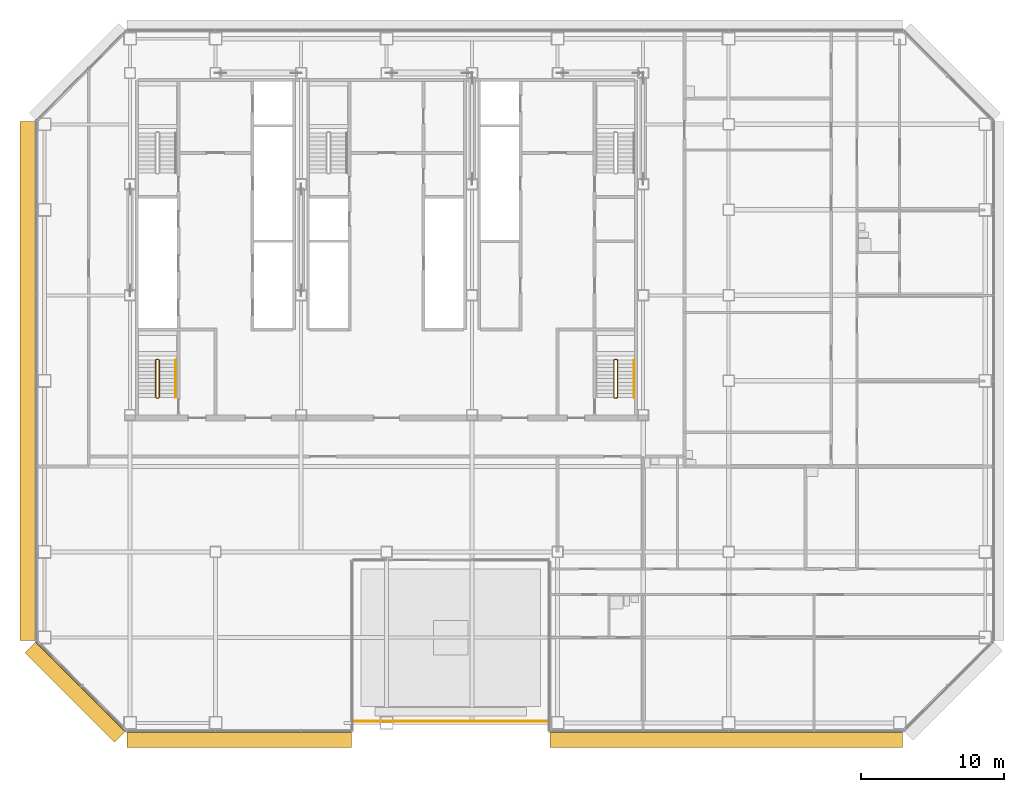
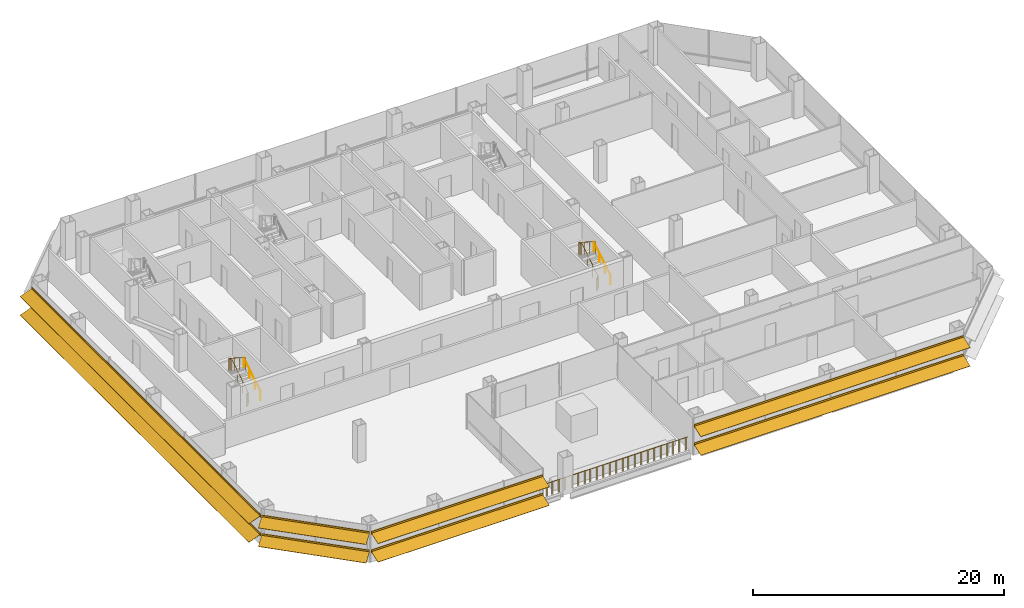
# One storey, part 24 of 27: 5 railings, 4 shading devices.
"""IFC4 building model written with IfcOpenShell, lengths in metres."""

from ifc_helpers import new_model, si_unit, direction, frame, origin, origin_2d, place, context, subcontext, project, spatial, polyline, circle, outline, composite_profile, extrude, material, type_object, element, save


model = new_model("IFC4")

# Units and contexts
model_context = context("Model", 3, precision=1e-05, world=origin(), true_north=direction((0.0, 1.0)))
body_context = subcontext(model_context, "Body", "Model", "MODEL_VIEW")
ifc_project = project(units=[si_unit("LENGTHUNIT", "METRE"), si_unit("AREAUNIT", "SQUARE_METRE"), si_unit("VOLUMEUNIT", "CUBIC_METRE"), si_unit("PLANEANGLEUNIT", "RADIAN"), si_unit("MASSUNIT", "GRAM", prefix="KILO")], contexts=[model_context])

# Site, building, storey
site_placement = place(None, origin())
site = spatial("IfcSite", under=ifc_project, at=site_placement, CompositionType="ELEMENT")
building_placement = place(site_placement, origin())
building = spatial("IfcBuilding", under=site, at=building_placement, Name="Sorahane Residences", CompositionType="ELEMENT")
storey_placement = place(building_placement, frame((0.0, 0.0, 82.199951171875)))
storey = spatial("IfcBuildingStorey", under=building, at=storey_placement, Name="L17", CompositionType="ELEMENT", Elevation=82.199951171875)

# Shading devices
ifc_material_1 = material(Name="Terracotta anodised aluminium", Category="masonry")
shading_device_type_1 = type_object("IfcShadingDeviceType", Name="Louvre sunshade blade S terracotta aluminium 1100", PredefinedType="JALOUSIE", material=ifc_material_1)
shading_device_1_placement = place(storey_placement, frame((5.801513671875, -0.60009765625, 0.900146484375), z_axis=(1.0, 0.0, 0.0), x_axis=(0.0, 1.0, 0.0)))
element("IfcShadingDevice", 1, at=shading_device_1_placement, inside=storey, type_object=shading_device_type_1, Name="Louvre sunshade blade bank S L17 S1", PredefinedType="JALOUSIE", context=body_context, shape_type="SweptSolid", body=[
    extrude(composite_profile([outline(polyline([(-1.1201171875, -0.385498046875), (-1.1201171875, -0.415283203125), (-0.080078125, -0.036865234375), (-0.080078125, -0.14990234375), (-0.02001953125, -0.14990234375), (-0.02001953125, -0.014892578125), (-0.02001953125, 0.014892578125), (-0.02001953125, 0.14990234375), (-0.080078125, 0.14990234375), (-0.080078125, -0.0068359375), (-1.1201171875, -0.385498046875)])), outline(polyline([(-1.1201171875, 1.41455078125), (-1.1201171875, 1.384521484375), (-0.080078125, 1.76318359375), (-0.080078125, 1.64990234375), (-0.02001953125, 1.64990234375), (-0.02001953125, 1.784912109375), (-0.02001953125, 1.81494140625), (-0.02001953125, 1.949951171875), (-0.080078125, 1.949951171875), (-0.080078125, 1.793212890625), (-1.1201171875, 1.41455078125)]))]), origin(), (0.0, 0.0, 1.0), 15.74853515625),
])
shading_device_2_placement = place(storey_placement, frame((35.449951171875, -0.60009765625, 0.900146484375), z_axis=(1.0, 0.0, 0.0), x_axis=(0.0, 1.0, 0.0)))
element("IfcShadingDevice", 2, at=shading_device_2_placement, inside=storey, type_object=shading_device_type_1, Name="Louvre sunshade blade bank S L17 S3", PredefinedType="JALOUSIE", context=body_context, shape_type="SweptSolid", body=[
    extrude(composite_profile([outline(polyline([(-1.1201171875, -0.385498046875), (-1.1201171875, -0.415283203125), (-0.080078125, -0.036865234375), (-0.080078125, -0.14990234375), (-0.02001953125, -0.14990234375), (-0.02001953125, -0.014892578125), (-0.02001953125, 0.014892578125), (-0.02001953125, 0.14990234375), (-0.080078125, 0.14990234375), (-0.080078125, -0.0068359375), (-1.1201171875, -0.385498046875)])), outline(polyline([(-1.1201171875, 1.41455078125), (-1.1201171875, 1.384521484375), (-0.080078125, 1.76318359375), (-0.080078125, 1.64990234375), (-0.02001953125, 1.64990234375), (-0.02001953125, 1.784912109375), (-0.02001953125, 1.81494140625), (-0.02001953125, 1.949951171875), (-0.080078125, 1.949951171875), (-0.080078125, 1.793212890625), (-1.1201171875, 1.41455078125)]))]), origin(), (0.0, 0.0, 1.0), 24.74853515625),
])
ifc_material_2 = material(Name="Terracotta anodised aluminium", Category="masonry")
shading_device_type_2 = type_object("IfcShadingDeviceType", Name="Louvre sunshade blade SW terracotta aluminium 1100", PredefinedType="JALOUSIE", material=ifc_material_2)
shading_device_3_placement = place(storey_placement, frame((-0.564697265625, 5.716064453125, 0.900146484375), z_axis=(0.707106781187, -0.707106781187, 0.0), x_axis=(0.707106781187, 0.707106781187, 0.0)))
element("IfcShadingDevice", 3, at=shading_device_3_placement, inside=storey, type_object=shading_device_type_2, Name="Louvre sunshade blade bank SW L17 SW1", PredefinedType="JALOUSIE", context=body_context, shape_type="SweptSolid", body=[
    extrude(composite_profile([outline(polyline([(-1.1201171875, -0.385498046875), (-1.1201171875, -0.415283203125), (-0.080078125, -0.036865234375), (-0.080078125, -0.14990234375), (-0.02001953125, -0.14990234375), (-0.02001953125, -0.014892578125), (-0.02001953125, 0.014892578125), (-0.02001953125, 0.14990234375), (-0.080078125, 0.14990234375), (-0.080078125, -0.0068359375), (-1.1201171875, -0.385498046875)])), outline(polyline([(-1.1201171875, 1.41455078125), (-1.1201171875, 1.384521484375), (-0.080078125, 1.76318359375), (-0.080078125, 1.64990234375), (-0.02001953125, 1.64990234375), (-0.02001953125, 1.784912109375), (-0.02001953125, 1.81494140625), (-0.02001953125, 1.949951171875), (-0.080078125, 1.949951171875), (-0.080078125, 1.793212890625), (-1.1201171875, 1.41455078125)]))]), origin(), (0.0, 0.0, 1.0), 8.88232421875),
])
ifc_material_3 = material(Name="Terracotta anodised aluminium", Category="masonry")
shading_device_type_3 = type_object("IfcShadingDeviceType", Name="Louvre sunshade blade W terracotta aluminium 1100", PredefinedType="JALOUSIE", material=ifc_material_3)
shading_device_4_placement = place(storey_placement, frame((-0.60009765625, 42.198486328125, 0.900146484375), z_axis=(0.0, -1.0, 0.0), x_axis=(1.0, 0.0, 0.0)))
element("IfcShadingDevice", 4, at=shading_device_4_placement, inside=storey, type_object=shading_device_type_3, Name="Louvre sunshade blade bank W L17 W2", PredefinedType="JALOUSIE", context=body_context, shape_type="SweptSolid", body=[
    extrude(composite_profile([outline(polyline([(-1.1201171875, -0.385498046875), (-1.1201171875, -0.415283203125), (-0.080078125, -0.036865234375), (-0.080078125, -0.14990234375), (-0.02001953125, -0.14990234375), (-0.02001953125, -0.014892578125), (-0.02001953125, 0.014892578125), (-0.02001953125, 0.14990234375), (-0.080078125, 0.14990234375), (-0.080078125, -0.0068359375), (-1.1201171875, -0.385498046875)])), outline(polyline([(-1.1201171875, 1.41455078125), (-1.1201171875, 1.384521484375), (-0.080078125, 1.76318359375), (-0.080078125, 1.64990234375), (-0.02001953125, 1.64990234375), (-0.02001953125, 1.784912109375), (-0.02001953125, 1.81494140625), (-0.02001953125, 1.949951171875), (-0.080078125, 1.949951171875), (-0.080078125, 1.793212890625), (-1.1201171875, 1.41455078125)]))]), origin(), (0.0, 0.0, 1.0), 36.39697265625),
])

# Railings
ifc_material_4 = material(Name="Steel Q355B", Category="steel")
railing_type_1 = type_object("IfcRailingType", Name="Stair guard 1200 Steel Q355B", PredefinedType="GUARDRAIL", material=ifc_material_4)
railing_1_placement = place(storey_placement, frame((7.85009765625, 22.800048828125, 0.0)))
element("IfcRailing", 5, at=railing_1_placement, inside=storey, type_object=railing_type_1, Name="L17 S4 stair guard 1", PredefinedType="GUARDRAIL", context=body_context, shape_type="SweptSolid", body=[
    extrude(circle(Radius=0.02392578125, at=origin_2d()), frame((0.0, 0.0, 1.17578125), z_axis=(1.0, 0.0, 0.0), x_axis=(0.0, 1.0, 0.0)), (0.0, 0.0, 1.0), 0.14990234375),
    extrude(circle(Radius=0.02392578125, at=origin_2d()), frame((0.14990234375, 0.0, 1.17578125), z_axis=(0.280808744504, 0.280808744504, 0.917765164963), x_axis=(-0.707106781187, 0.707106781187, 0.0)), (0.0, 0.0, 1.0), 0.17822265625),
    extrude(circle(Radius=0.02392578125, at=origin_2d()), frame((0.199951171875, 0.050048828125, 1.33935546875), z_axis=(0.0, 0.846301844409, 0.532703658848), x_axis=(-1.0, 0.0, 0.0)), (0.0, 0.0, 1.0), 3.072021484375),
    extrude(circle(Radius=0.02392578125, at=origin_2d()), frame((0.199951171875, 2.64990234375, 2.97607421875), z_axis=(-0.707106781187, 0.707106781187, 0.0), x_axis=(-0.707106781187, -0.707106781187, 0.0)), (0.0, 0.0, 1.0), 0.07080078125),
    extrude(circle(Radius=0.02392578125, at=origin_2d()), frame((0.14990234375, 2.699951171875, 2.97607421875), z_axis=(-1.0, 0.0, 0.0), x_axis=(0.0, -1.0, 0.0)), (0.0, 0.0, 1.0), 0.14990234375),
    extrude(circle(Radius=0.02392578125, at=origin_2d()), frame((0.0, 2.699951171875, 2.97607421875), z_axis=(-0.280808744504, -0.280808744504, 0.917765164963), x_axis=(0.707106781187, -0.707106781187, 0.0)), (0.0, 0.0, 1.0), 0.17822265625),
    extrude(circle(Radius=0.02392578125, at=origin_2d()), frame((-0.050048828125, 2.64990234375, 3.1396484375), z_axis=(0.0, -0.846301844409, 0.532703658848), x_axis=(1.0, 0.0, 0.0)), (0.0, 0.0, 1.0), 3.072021484375),
    extrude(circle(Radius=0.02099609375, at=origin_2d()), origin(), (0.0, 0.0, 1.0), 1.15185546875),
    extrude(circle(Radius=0.02099609375, at=origin_2d()), frame((0.14990234375, 0.0, 0.0)), (0.0, 0.0, 1.0), 1.15185546875),
    extrude(circle(Radius=0.02099609375, at=origin_2d()), frame((0.199951171875, 0.050048828125, 0.16357421875)), (0.0, 0.0, 1.0), 1.15185546875),
    extrude(circle(Radius=0.02099609375, at=origin_2d()), frame((0.199951171875, 0.916748046875, 0.708984375)), (0.0, 0.0, 1.0), 1.15185546875),
    extrude(circle(Radius=0.02099609375, at=origin_2d()), frame((0.199951171875, 1.783203125, 1.254638671875)), (0.0, 0.0, 1.0), 1.15185546875),
    extrude(circle(Radius=0.02099609375, at=origin_2d()), frame((0.199951171875, 2.64990234375, 1.800048828125)), (0.0, 0.0, 1.0), 1.15185546875),
    extrude(circle(Radius=0.02099609375, at=origin_2d()), frame((0.14990234375, 2.699951171875, 1.800048828125)), (0.0, 0.0, 1.0), 1.15185546875),
    extrude(circle(Radius=0.02099609375, at=origin_2d()), frame((0.0, 2.699951171875, 1.800048828125)), (0.0, 0.0, 1.0), 1.15185546875),
    extrude(circle(Radius=0.02099609375, at=origin_2d()), frame((-0.050048828125, 2.64990234375, 1.963623046875)), (0.0, 0.0, 1.0), 1.15185546875),
    extrude(circle(Radius=0.02099609375, at=origin_2d()), frame((-0.050048828125, 1.783203125, 2.509033203125)), (0.0, 0.0, 1.0), 1.15185546875),
    extrude(circle(Radius=0.02099609375, at=origin_2d()), frame((-0.050048828125, 0.916748046875, 3.0546875)), (0.0, 0.0, 1.0), 1.15185546875),
    extrude(circle(Radius=0.02099609375, at=origin_2d()), frame((-0.050048828125, 0.050048828125, 3.60009765625)), (0.0, 0.0, 1.0), 1.15185546875),
])
railing_2_placement = place(storey_placement, frame((40.0, 22.800048828125, 0.0)))
element("IfcRailing", 6, at=railing_2_placement, inside=storey, type_object=railing_type_1, Name="L17 S5 stair guard 1", PredefinedType="GUARDRAIL", context=body_context, shape_type="SweptSolid", body=[
    extrude(circle(Radius=0.02392578125, at=origin_2d()), frame((0.0, 0.0, 1.17578125), z_axis=(1.0, 0.0, 0.0), x_axis=(0.0, 1.0, 0.0)), (0.0, 0.0, 1.0), 0.14990234375),
    extrude(circle(Radius=0.02392578125, at=origin_2d()), frame((0.14990234375, 0.0, 1.17578125), z_axis=(0.280808744504, 0.280808744504, 0.917765164963), x_axis=(-0.707106781187, 0.707106781187, 0.0)), (0.0, 0.0, 1.0), 0.17822265625),
    extrude(circle(Radius=0.02392578125, at=origin_2d()), frame((0.199951171875, 0.050048828125, 1.33935546875), z_axis=(0.0, 0.846301844409, 0.532703658848), x_axis=(-1.0, 0.0, 0.0)), (0.0, 0.0, 1.0), 3.072021484375),
    extrude(circle(Radius=0.02392578125, at=origin_2d()), frame((0.199951171875, 2.64990234375, 2.97607421875), z_axis=(-0.707106781187, 0.707106781187, 0.0), x_axis=(-0.707106781187, -0.707106781187, 0.0)), (0.0, 0.0, 1.0), 0.07080078125),
    extrude(circle(Radius=0.02392578125, at=origin_2d()), frame((0.14990234375, 2.699951171875, 2.97607421875), z_axis=(-1.0, 0.0, 0.0), x_axis=(0.0, -1.0, 0.0)), (0.0, 0.0, 1.0), 0.14990234375),
    extrude(circle(Radius=0.02392578125, at=origin_2d()), frame((0.0, 2.699951171875, 2.97607421875), z_axis=(-0.280808744504, -0.280808744504, 0.917765164963), x_axis=(0.707106781187, -0.707106781187, 0.0)), (0.0, 0.0, 1.0), 0.17822265625),
    extrude(circle(Radius=0.02392578125, at=origin_2d()), frame((-0.050048828125, 2.64990234375, 3.1396484375), z_axis=(0.0, -0.846301844409, 0.532703658848), x_axis=(1.0, 0.0, 0.0)), (0.0, 0.0, 1.0), 3.072021484375),
    extrude(circle(Radius=0.02099609375, at=origin_2d()), origin(), (0.0, 0.0, 1.0), 1.15185546875),
    extrude(circle(Radius=0.02099609375, at=origin_2d()), frame((0.14990234375, 0.0, 0.0)), (0.0, 0.0, 1.0), 1.15185546875),
    extrude(circle(Radius=0.02099609375, at=origin_2d()), frame((0.199951171875, 0.050048828125, 0.16357421875)), (0.0, 0.0, 1.0), 1.15185546875),
    extrude(circle(Radius=0.02099609375, at=origin_2d()), frame((0.199951171875, 0.916748046875, 0.708984375)), (0.0, 0.0, 1.0), 1.15185546875),
    extrude(circle(Radius=0.02099609375, at=origin_2d()), frame((0.199951171875, 1.783203125, 1.254638671875)), (0.0, 0.0, 1.0), 1.15185546875),
    extrude(circle(Radius=0.02099609375, at=origin_2d()), frame((0.199951171875, 2.64990234375, 1.800048828125)), (0.0, 0.0, 1.0), 1.15185546875),
    extrude(circle(Radius=0.02099609375, at=origin_2d()), frame((0.14990234375, 2.699951171875, 1.800048828125)), (0.0, 0.0, 1.0), 1.15185546875),
    extrude(circle(Radius=0.02099609375, at=origin_2d()), frame((0.0, 2.699951171875, 1.800048828125)), (0.0, 0.0, 1.0), 1.15185546875),
    extrude(circle(Radius=0.02099609375, at=origin_2d()), frame((-0.050048828125, 2.64990234375, 1.963623046875)), (0.0, 0.0, 1.0), 1.15185546875),
    extrude(circle(Radius=0.02099609375, at=origin_2d()), frame((-0.050048828125, 1.783203125, 2.509033203125)), (0.0, 0.0, 1.0), 1.15185546875),
    extrude(circle(Radius=0.02099609375, at=origin_2d()), frame((-0.050048828125, 0.916748046875, 3.0546875)), (0.0, 0.0, 1.0), 1.15185546875),
    extrude(circle(Radius=0.02099609375, at=origin_2d()), frame((-0.050048828125, 0.050048828125, 3.60009765625)), (0.0, 0.0, 1.0), 1.15185546875),
])
ifc_material_5 = material(Name="Steel Q355B", Category="steel")
railing_type_2 = type_object("IfcRailingType", Name="Stair handrail 900 Steel Q355B", PredefinedType="HANDRAIL", material=ifc_material_5)
for number, where, name in (
    (7, (9.199951171875, 22.85009765625, 0.16357421875), "L17 S4 stair handrail 1"),
    (8, (41.35009765625, 22.85009765625, 0.16357421875), "L17 S5 stair handrail 1"),
):
    element("IfcRailing", number, at=place(storey_placement, frame(where)), inside=storey, type_object=railing_type_2, Name=name, PredefinedType="HANDRAIL", context=body_context, shape_type="SweptSolid", body=[
        extrude(circle(Radius=0.02392578125, at=origin_2d()), frame((0.0, 0.0, 0.8759765625), z_axis=(0.0, 0.846301844409, 0.532703658848), x_axis=(-1.0, 0.0, 0.0)), (0.0, 0.0, 1.0), 3.072021484375),
        extrude(circle(Radius=0.02099609375, at=origin_2d()), origin(), (0.0, 0.0, 1.0), 0.851806640625),
        extrude(circle(Radius=0.02099609375, at=origin_2d()), frame((0.0, 0.86669921875, 0.54541015625)), (0.0, 0.0, 1.0), 0.851806640625),
        extrude(circle(Radius=0.02099609375, at=origin_2d()), frame((0.0, 1.733154296875, 1.091064453125)), (0.0, 0.0, 1.0), 0.851806640625),
        extrude(circle(Radius=0.02099609375, at=origin_2d()), frame((0.0, 2.599853515625, 1.636474609375)), (0.0, 0.0, 1.0), 0.851806640625),
    ])
ifc_material_6 = material(Name="Clear low-iron glass with a black steel top rail", Category="steel")
railing_type_3 = type_object("IfcRailingType", Name="Terrace guard black steel bars 1260", PredefinedType="GUARDRAIL", material=ifc_material_6)
railing_3_placement = place(storey_placement, frame((35.280029296875, 0.1201171875, 0.0)))
element("IfcRailing", 9, at=railing_3_placement, inside=storey, type_object=railing_type_3, Name="Terrace guard L17.1.1", PredefinedType="GUARDRAIL", context=body_context, shape_type="SweptSolid", body=[
    extrude(circle(Radius=0.030029296875, at=origin_2d()), frame((0.0, 0.0, 1.22998046875), z_axis=(-1.0, 0.0, 0.0), x_axis=(0.0, -1.0, 0.0)), (0.0, 0.0, 1.0), 13.56005859375),
    extrude(circle(Radius=0.0068359375, at=origin_2d()), origin(), (0.0, 0.0, 1.0), 1.199951171875),
    extrude(circle(Radius=0.0068359375, at=origin_2d()), frame((-0.099609375, 0.0, 0.0)), (0.0, 0.0, 1.0), 1.199951171875),
    extrude(circle(Radius=0.0068359375, at=origin_2d()), frame((-0.199462890625, 0.0, 0.0)), (0.0, 0.0, 1.0), 1.199951171875),
    extrude(circle(Radius=0.0068359375, at=origin_2d()), frame((-0.299072265625, 0.0, 0.0)), (0.0, 0.0, 1.0), 1.199951171875),
    extrude(circle(Radius=0.0068359375, at=origin_2d()), frame((-0.39892578125, 0.0, 0.0)), (0.0, 0.0, 1.0), 1.199951171875),
    extrude(circle(Radius=0.0068359375, at=origin_2d()), frame((-0.49853515625, 0.0, 0.0)), (0.0, 0.0, 1.0), 1.199951171875),
    extrude(circle(Radius=0.0068359375, at=origin_2d()), frame((-0.59814453125, 0.0, 0.0)), (0.0, 0.0, 1.0), 1.199951171875),
    extrude(circle(Radius=0.0068359375, at=origin_2d()), frame((-0.697998046875, 0.0, 0.0)), (0.0, 0.0, 1.0), 1.199951171875),
    extrude(circle(Radius=0.0068359375, at=origin_2d()), frame((-0.797607421875, 0.0, 0.0)), (0.0, 0.0, 1.0), 1.199951171875),
    extrude(circle(Radius=0.0068359375, at=origin_2d()), frame((-0.8974609375, 0.0, 0.0)), (0.0, 0.0, 1.0), 1.199951171875),
    extrude(circle(Radius=0.0068359375, at=origin_2d()), frame((-0.9970703125, 0.0, 0.0)), (0.0, 0.0, 1.0), 1.199951171875),
    extrude(circle(Radius=0.0068359375, at=origin_2d()), frame((-1.0966796875, 0.0, 0.0)), (0.0, 0.0, 1.0), 1.199951171875),
    extrude(circle(Radius=0.0068359375, at=origin_2d()), frame((-1.196533203125, 0.0, 0.0)), (0.0, 0.0, 1.0), 1.199951171875),
    extrude(circle(Radius=0.0068359375, at=origin_2d()), frame((-1.296142578125, 0.0, 0.0)), (0.0, 0.0, 1.0), 1.199951171875),
    extrude(circle(Radius=0.0068359375, at=origin_2d()), frame((-1.39599609375, 0.0, 0.0)), (0.0, 0.0, 1.0), 1.199951171875),
    extrude(circle(Radius=0.0068359375, at=origin_2d()), frame((-1.49560546875, 0.0, 0.0)), (0.0, 0.0, 1.0), 1.199951171875),
    extrude(circle(Radius=0.0068359375, at=origin_2d()), frame((-1.59521484375, 0.0, 0.0)), (0.0, 0.0, 1.0), 1.199951171875),
    extrude(circle(Radius=0.0068359375, at=origin_2d()), frame((-1.695068359375, 0.0, 0.0)), (0.0, 0.0, 1.0), 1.199951171875),
    extrude(circle(Radius=0.0068359375, at=origin_2d()), frame((-1.794677734375, 0.0, 0.0)), (0.0, 0.0, 1.0), 1.199951171875),
    extrude(circle(Radius=0.0068359375, at=origin_2d()), frame((-1.89453125, 0.0, 0.0)), (0.0, 0.0, 1.0), 1.199951171875),
    extrude(circle(Radius=0.0068359375, at=origin_2d()), frame((-1.994140625, 0.0, 0.0)), (0.0, 0.0, 1.0), 1.199951171875),
    extrude(circle(Radius=0.0068359375, at=origin_2d()), frame((-2.09375, 0.0, 0.0)), (0.0, 0.0, 1.0), 1.199951171875),
    extrude(circle(Radius=0.0068359375, at=origin_2d()), frame((-2.193603515625, 0.0, 0.0)), (0.0, 0.0, 1.0), 1.199951171875),
    extrude(circle(Radius=0.0068359375, at=origin_2d()), frame((-2.293212890625, 0.0, 0.0)), (0.0, 0.0, 1.0), 1.199951171875),
    extrude(circle(Radius=0.0068359375, at=origin_2d()), frame((-2.39306640625, 0.0, 0.0)), (0.0, 0.0, 1.0), 1.199951171875),
    extrude(circle(Radius=0.0068359375, at=origin_2d()), frame((-2.49267578125, 0.0, 0.0)), (0.0, 0.0, 1.0), 1.199951171875),
    extrude(circle(Radius=0.0068359375, at=origin_2d()), frame((-2.59228515625, 0.0, 0.0)), (0.0, 0.0, 1.0), 1.199951171875),
    extrude(circle(Radius=0.0068359375, at=origin_2d()), frame((-2.692138671875, 0.0, 0.0)), (0.0, 0.0, 1.0), 1.199951171875),
    extrude(circle(Radius=0.0068359375, at=origin_2d()), frame((-2.791748046875, 0.0, 0.0)), (0.0, 0.0, 1.0), 1.199951171875),
    extrude(circle(Radius=0.0068359375, at=origin_2d()), frame((-2.8916015625, 0.0, 0.0)), (0.0, 0.0, 1.0), 1.199951171875),
    extrude(circle(Radius=0.0068359375, at=origin_2d()), frame((-2.9912109375, 0.0, 0.0)), (0.0, 0.0, 1.0), 1.199951171875),
    extrude(circle(Radius=0.0068359375, at=origin_2d()), frame((-3.0908203125, 0.0, 0.0)), (0.0, 0.0, 1.0), 1.199951171875),
    extrude(circle(Radius=0.0068359375, at=origin_2d()), frame((-3.190673828125, 0.0, 0.0)), (0.0, 0.0, 1.0), 1.199951171875),
    extrude(circle(Radius=0.0068359375, at=origin_2d()), frame((-3.290283203125, 0.0, 0.0)), (0.0, 0.0, 1.0), 1.199951171875),
    extrude(circle(Radius=0.0068359375, at=origin_2d()), frame((-3.39013671875, 0.0, 0.0)), (0.0, 0.0, 1.0), 1.199951171875),
    extrude(circle(Radius=0.0068359375, at=origin_2d()), frame((-3.48974609375, 0.0, 0.0)), (0.0, 0.0, 1.0), 1.199951171875),
    extrude(circle(Radius=0.0068359375, at=origin_2d()), frame((-3.58935546875, 0.0, 0.0)), (0.0, 0.0, 1.0), 1.199951171875),
    extrude(circle(Radius=0.0068359375, at=origin_2d()), frame((-3.689208984375, 0.0, 0.0)), (0.0, 0.0, 1.0), 1.199951171875),
    extrude(circle(Radius=0.0068359375, at=origin_2d()), frame((-3.788818359375, 0.0, 0.0)), (0.0, 0.0, 1.0), 1.199951171875),
    extrude(circle(Radius=0.0068359375, at=origin_2d()), frame((-3.888427734375, 0.0, 0.0)), (0.0, 0.0, 1.0), 1.199951171875),
    extrude(circle(Radius=0.0068359375, at=origin_2d()), frame((-3.98828125, 0.0, 0.0)), (0.0, 0.0, 1.0), 1.199951171875),
    extrude(circle(Radius=0.0068359375, at=origin_2d()), frame((-4.087890625, 0.0, 0.0)), (0.0, 0.0, 1.0), 1.199951171875),
    extrude(circle(Radius=0.0068359375, at=origin_2d()), frame((-4.187744140625, 0.0, 0.0)), (0.0, 0.0, 1.0), 1.199951171875),
    extrude(circle(Radius=0.0068359375, at=origin_2d()), frame((-4.287353515625, 0.0, 0.0)), (0.0, 0.0, 1.0), 1.199951171875),
    extrude(circle(Radius=0.0068359375, at=origin_2d()), frame((-4.386962890625, 0.0, 0.0)), (0.0, 0.0, 1.0), 1.199951171875),
    extrude(circle(Radius=0.0068359375, at=origin_2d()), frame((-4.48681640625, 0.0, 0.0)), (0.0, 0.0, 1.0), 1.199951171875),
    extrude(circle(Radius=0.0068359375, at=origin_2d()), frame((-4.58642578125, 0.0, 0.0)), (0.0, 0.0, 1.0), 1.199951171875),
    extrude(circle(Radius=0.0068359375, at=origin_2d()), frame((-4.686279296875, 0.0, 0.0)), (0.0, 0.0, 1.0), 1.199951171875),
    extrude(circle(Radius=0.0068359375, at=origin_2d()), frame((-4.785888671875, 0.0, 0.0)), (0.0, 0.0, 1.0), 1.199951171875),
    extrude(circle(Radius=0.0068359375, at=origin_2d()), frame((-4.885498046875, 0.0, 0.0)), (0.0, 0.0, 1.0), 1.199951171875),
    extrude(circle(Radius=0.0068359375, at=origin_2d()), frame((-4.9853515625, 0.0, 0.0)), (0.0, 0.0, 1.0), 1.199951171875),
    extrude(circle(Radius=0.0068359375, at=origin_2d()), frame((-5.0849609375, 0.0, 0.0)), (0.0, 0.0, 1.0), 1.199951171875),
    extrude(circle(Radius=0.0068359375, at=origin_2d()), frame((-5.184814453125, 0.0, 0.0)), (0.0, 0.0, 1.0), 1.199951171875),
    extrude(circle(Radius=0.0068359375, at=origin_2d()), frame((-5.284423828125, 0.0, 0.0)), (0.0, 0.0, 1.0), 1.199951171875),
    extrude(circle(Radius=0.0068359375, at=origin_2d()), frame((-5.384033203125, 0.0, 0.0)), (0.0, 0.0, 1.0), 1.199951171875),
    extrude(circle(Radius=0.0068359375, at=origin_2d()), frame((-5.48388671875, 0.0, 0.0)), (0.0, 0.0, 1.0), 1.199951171875),
    extrude(circle(Radius=0.0068359375, at=origin_2d()), frame((-5.58349609375, 0.0, 0.0)), (0.0, 0.0, 1.0), 1.199951171875),
    extrude(circle(Radius=0.0068359375, at=origin_2d()), frame((-5.683349609375, 0.0, 0.0)), (0.0, 0.0, 1.0), 1.199951171875),
    extrude(circle(Radius=0.0068359375, at=origin_2d()), frame((-5.782958984375, 0.0, 0.0)), (0.0, 0.0, 1.0), 1.199951171875),
    extrude(circle(Radius=0.0068359375, at=origin_2d()), frame((-5.882568359375, 0.0, 0.0)), (0.0, 0.0, 1.0), 1.199951171875),
    extrude(circle(Radius=0.0068359375, at=origin_2d()), frame((-5.982421875, 0.0, 0.0)), (0.0, 0.0, 1.0), 1.199951171875),
    extrude(circle(Radius=0.0068359375, at=origin_2d()), frame((-6.08203125, 0.0, 0.0)), (0.0, 0.0, 1.0), 1.199951171875),
    extrude(circle(Radius=0.0068359375, at=origin_2d()), frame((-6.181884765625, 0.0, 0.0)), (0.0, 0.0, 1.0), 1.199951171875),
    extrude(circle(Radius=0.0068359375, at=origin_2d()), frame((-6.281494140625, 0.0, 0.0)), (0.0, 0.0, 1.0), 1.199951171875),
    extrude(circle(Radius=0.0068359375, at=origin_2d()), frame((-6.381103515625, 0.0, 0.0)), (0.0, 0.0, 1.0), 1.199951171875),
    extrude(circle(Radius=0.0068359375, at=origin_2d()), frame((-6.48095703125, 0.0, 0.0)), (0.0, 0.0, 1.0), 1.199951171875),
    extrude(circle(Radius=0.0068359375, at=origin_2d()), frame((-6.58056640625, 0.0, 0.0)), (0.0, 0.0, 1.0), 1.199951171875),
    extrude(circle(Radius=0.0068359375, at=origin_2d()), frame((-6.680419921875, 0.0, 0.0)), (0.0, 0.0, 1.0), 1.199951171875),
    extrude(circle(Radius=0.0068359375, at=origin_2d()), frame((-6.780029296875, 0.0, 0.0)), (0.0, 0.0, 1.0), 1.199951171875),
    extrude(circle(Radius=0.0068359375, at=origin_2d()), frame((-6.879638671875, 0.0, 0.0)), (0.0, 0.0, 1.0), 1.199951171875),
    extrude(circle(Radius=0.0068359375, at=origin_2d()), frame((-6.9794921875, 0.0, 0.0)), (0.0, 0.0, 1.0), 1.199951171875),
    extrude(circle(Radius=0.0068359375, at=origin_2d()), frame((-7.0791015625, 0.0, 0.0)), (0.0, 0.0, 1.0), 1.199951171875),
    extrude(circle(Radius=0.0068359375, at=origin_2d()), frame((-7.178955078125, 0.0, 0.0)), (0.0, 0.0, 1.0), 1.199951171875),
    extrude(circle(Radius=0.0068359375, at=origin_2d()), frame((-7.278564453125, 0.0, 0.0)), (0.0, 0.0, 1.0), 1.199951171875),
    extrude(circle(Radius=0.0068359375, at=origin_2d()), frame((-7.378173828125, 0.0, 0.0)), (0.0, 0.0, 1.0), 1.199951171875),
    extrude(circle(Radius=0.0068359375, at=origin_2d()), frame((-7.47802734375, 0.0, 0.0)), (0.0, 0.0, 1.0), 1.199951171875),
    extrude(circle(Radius=0.0068359375, at=origin_2d()), frame((-7.57763671875, 0.0, 0.0)), (0.0, 0.0, 1.0), 1.199951171875),
    extrude(circle(Radius=0.0068359375, at=origin_2d()), frame((-7.677490234375, 0.0, 0.0)), (0.0, 0.0, 1.0), 1.199951171875),
    extrude(circle(Radius=0.0068359375, at=origin_2d()), frame((-7.777099609375, 0.0, 0.0)), (0.0, 0.0, 1.0), 1.199951171875),
    extrude(circle(Radius=0.0068359375, at=origin_2d()), frame((-7.876708984375, 0.0, 0.0)), (0.0, 0.0, 1.0), 1.199951171875),
    extrude(circle(Radius=0.0068359375, at=origin_2d()), frame((-7.9765625, 0.0, 0.0)), (0.0, 0.0, 1.0), 1.199951171875),
    extrude(circle(Radius=0.0068359375, at=origin_2d()), frame((-8.076171875, 0.0, 0.0)), (0.0, 0.0, 1.0), 1.199951171875),
    extrude(circle(Radius=0.0068359375, at=origin_2d()), frame((-8.176025390625, 0.0, 0.0)), (0.0, 0.0, 1.0), 1.199951171875),
    extrude(circle(Radius=0.0068359375, at=origin_2d()), frame((-8.275634765625, 0.0, 0.0)), (0.0, 0.0, 1.0), 1.199951171875),
    extrude(circle(Radius=0.0068359375, at=origin_2d()), frame((-8.375244140625, 0.0, 0.0)), (0.0, 0.0, 1.0), 1.199951171875),
    extrude(circle(Radius=0.0068359375, at=origin_2d()), frame((-8.47509765625, 0.0, 0.0)), (0.0, 0.0, 1.0), 1.199951171875),
    extrude(circle(Radius=0.0068359375, at=origin_2d()), frame((-8.57470703125, 0.0, 0.0)), (0.0, 0.0, 1.0), 1.199951171875),
    extrude(circle(Radius=0.0068359375, at=origin_2d()), frame((-8.674560546875, 0.0, 0.0)), (0.0, 0.0, 1.0), 1.199951171875),
    extrude(circle(Radius=0.0068359375, at=origin_2d()), frame((-8.774169921875, 0.0, 0.0)), (0.0, 0.0, 1.0), 1.199951171875),
    extrude(circle(Radius=0.0068359375, at=origin_2d()), frame((-8.873779296875, 0.0, 0.0)), (0.0, 0.0, 1.0), 1.199951171875),
    extrude(circle(Radius=0.0068359375, at=origin_2d()), frame((-8.9736328125, 0.0, 0.0)), (0.0, 0.0, 1.0), 1.199951171875),
    extrude(circle(Radius=0.0068359375, at=origin_2d()), frame((-9.0732421875, 0.0, 0.0)), (0.0, 0.0, 1.0), 1.199951171875),
    extrude(circle(Radius=0.0068359375, at=origin_2d()), frame((-9.173095703125, 0.0, 0.0)), (0.0, 0.0, 1.0), 1.199951171875),
    extrude(circle(Radius=0.0068359375, at=origin_2d()), frame((-9.272705078125, 0.0, 0.0)), (0.0, 0.0, 1.0), 1.199951171875),
    extrude(circle(Radius=0.0068359375, at=origin_2d()), frame((-9.372314453125, 0.0, 0.0)), (0.0, 0.0, 1.0), 1.199951171875),
    extrude(circle(Radius=0.0068359375, at=origin_2d()), frame((-9.47216796875, 0.0, 0.0)), (0.0, 0.0, 1.0), 1.199951171875),
    extrude(circle(Radius=0.0068359375, at=origin_2d()), frame((-9.57177734375, 0.0, 0.0)), (0.0, 0.0, 1.0), 1.199951171875),
    extrude(circle(Radius=0.0068359375, at=origin_2d()), frame((-9.671630859375, 0.0, 0.0)), (0.0, 0.0, 1.0), 1.199951171875),
    extrude(circle(Radius=0.0068359375, at=origin_2d()), frame((-9.771240234375, 0.0, 0.0)), (0.0, 0.0, 1.0), 1.199951171875),
    extrude(circle(Radius=0.0068359375, at=origin_2d()), frame((-9.870849609375, 0.0, 0.0)), (0.0, 0.0, 1.0), 1.199951171875),
    extrude(circle(Radius=0.0068359375, at=origin_2d()), frame((-9.970703125, 0.0, 0.0)), (0.0, 0.0, 1.0), 1.199951171875),
    extrude(circle(Radius=0.0068359375, at=origin_2d()), frame((-10.0703125, 0.0, 0.0)), (0.0, 0.0, 1.0), 1.199951171875),
    extrude(circle(Radius=0.0068359375, at=origin_2d()), frame((-10.169921875, 0.0, 0.0)), (0.0, 0.0, 1.0), 1.199951171875),
    extrude(circle(Radius=0.0068359375, at=origin_2d()), frame((-10.269775390625, 0.0, 0.0)), (0.0, 0.0, 1.0), 1.199951171875),
    extrude(circle(Radius=0.0068359375, at=origin_2d()), frame((-10.369384765625, 0.0, 0.0)), (0.0, 0.0, 1.0), 1.199951171875),
    extrude(circle(Radius=0.0068359375, at=origin_2d()), frame((-10.46923828125, 0.0, 0.0)), (0.0, 0.0, 1.0), 1.199951171875),
    extrude(circle(Radius=0.0068359375, at=origin_2d()), frame((-10.56884765625, 0.0, 0.0)), (0.0, 0.0, 1.0), 1.199951171875),
    extrude(circle(Radius=0.0068359375, at=origin_2d()), frame((-10.66845703125, 0.0, 0.0)), (0.0, 0.0, 1.0), 1.199951171875),
    extrude(circle(Radius=0.0068359375, at=origin_2d()), frame((-10.768310546875, 0.0, 0.0)), (0.0, 0.0, 1.0), 1.199951171875),
    extrude(circle(Radius=0.0068359375, at=origin_2d()), frame((-10.867919921875, 0.0, 0.0)), (0.0, 0.0, 1.0), 1.199951171875),
    extrude(circle(Radius=0.0068359375, at=origin_2d()), frame((-10.9677734375, 0.0, 0.0)), (0.0, 0.0, 1.0), 1.199951171875),
    extrude(circle(Radius=0.0068359375, at=origin_2d()), frame((-11.0673828125, 0.0, 0.0)), (0.0, 0.0, 1.0), 1.199951171875),
    extrude(circle(Radius=0.0068359375, at=origin_2d()), frame((-11.1669921875, 0.0, 0.0)), (0.0, 0.0, 1.0), 1.199951171875),
    extrude(circle(Radius=0.0068359375, at=origin_2d()), frame((-11.266845703125, 0.0, 0.0)), (0.0, 0.0, 1.0), 1.199951171875),
    extrude(circle(Radius=0.0068359375, at=origin_2d()), frame((-11.366455078125, 0.0, 0.0)), (0.0, 0.0, 1.0), 1.199951171875),
    extrude(circle(Radius=0.0068359375, at=origin_2d()), frame((-11.46630859375, 0.0, 0.0)), (0.0, 0.0, 1.0), 1.199951171875),
    extrude(circle(Radius=0.0068359375, at=origin_2d()), frame((-11.56591796875, 0.0, 0.0)), (0.0, 0.0, 1.0), 1.199951171875),
    extrude(circle(Radius=0.0068359375, at=origin_2d()), frame((-11.66552734375, 0.0, 0.0)), (0.0, 0.0, 1.0), 1.199951171875),
    extrude(circle(Radius=0.0068359375, at=origin_2d()), frame((-11.765380859375, 0.0, 0.0)), (0.0, 0.0, 1.0), 1.199951171875),
    extrude(circle(Radius=0.0068359375, at=origin_2d()), frame((-11.864990234375, 0.0, 0.0)), (0.0, 0.0, 1.0), 1.199951171875),
    extrude(circle(Radius=0.0068359375, at=origin_2d()), frame((-11.96484375, 0.0, 0.0)), (0.0, 0.0, 1.0), 1.199951171875),
    extrude(circle(Radius=0.0068359375, at=origin_2d()), frame((-12.064453125, 0.0, 0.0)), (0.0, 0.0, 1.0), 1.199951171875),
    extrude(circle(Radius=0.0068359375, at=origin_2d()), frame((-12.1640625, 0.0, 0.0)), (0.0, 0.0, 1.0), 1.199951171875),
    extrude(circle(Radius=0.0068359375, at=origin_2d()), frame((-12.263916015625, 0.0, 0.0)), (0.0, 0.0, 1.0), 1.199951171875),
    extrude(circle(Radius=0.0068359375, at=origin_2d()), frame((-12.363525390625, 0.0, 0.0)), (0.0, 0.0, 1.0), 1.199951171875),
    extrude(circle(Radius=0.0068359375, at=origin_2d()), frame((-12.46337890625, 0.0, 0.0)), (0.0, 0.0, 1.0), 1.199951171875),
    extrude(circle(Radius=0.0068359375, at=origin_2d()), frame((-12.56298828125, 0.0, 0.0)), (0.0, 0.0, 1.0), 1.199951171875),
    extrude(circle(Radius=0.0068359375, at=origin_2d()), frame((-12.66259765625, 0.0, 0.0)), (0.0, 0.0, 1.0), 1.199951171875),
    extrude(circle(Radius=0.0068359375, at=origin_2d()), frame((-12.762451171875, 0.0, 0.0)), (0.0, 0.0, 1.0), 1.199951171875),
    extrude(circle(Radius=0.0068359375, at=origin_2d()), frame((-12.862060546875, 0.0, 0.0)), (0.0, 0.0, 1.0), 1.199951171875),
    extrude(circle(Radius=0.0068359375, at=origin_2d()), frame((-12.9619140625, 0.0, 0.0)), (0.0, 0.0, 1.0), 1.199951171875),
    extrude(circle(Radius=0.0068359375, at=origin_2d()), frame((-13.0615234375, 0.0, 0.0)), (0.0, 0.0, 1.0), 1.199951171875),
    extrude(circle(Radius=0.0068359375, at=origin_2d()), frame((-13.1611328125, 0.0, 0.0)), (0.0, 0.0, 1.0), 1.199951171875),
    extrude(circle(Radius=0.0068359375, at=origin_2d()), frame((-13.260986328125, 0.0, 0.0)), (0.0, 0.0, 1.0), 1.199951171875),
    extrude(circle(Radius=0.0068359375, at=origin_2d()), frame((-13.360595703125, 0.0, 0.0)), (0.0, 0.0, 1.0), 1.199951171875),
    extrude(circle(Radius=0.0068359375, at=origin_2d()), frame((-13.46044921875, 0.0, 0.0)), (0.0, 0.0, 1.0), 1.199951171875),
    extrude(circle(Radius=0.0068359375, at=origin_2d()), frame((-13.56005859375, 0.0, 0.0)), (0.0, 0.0, 1.0), 1.199951171875),
])

save(model, "model.ifc")
